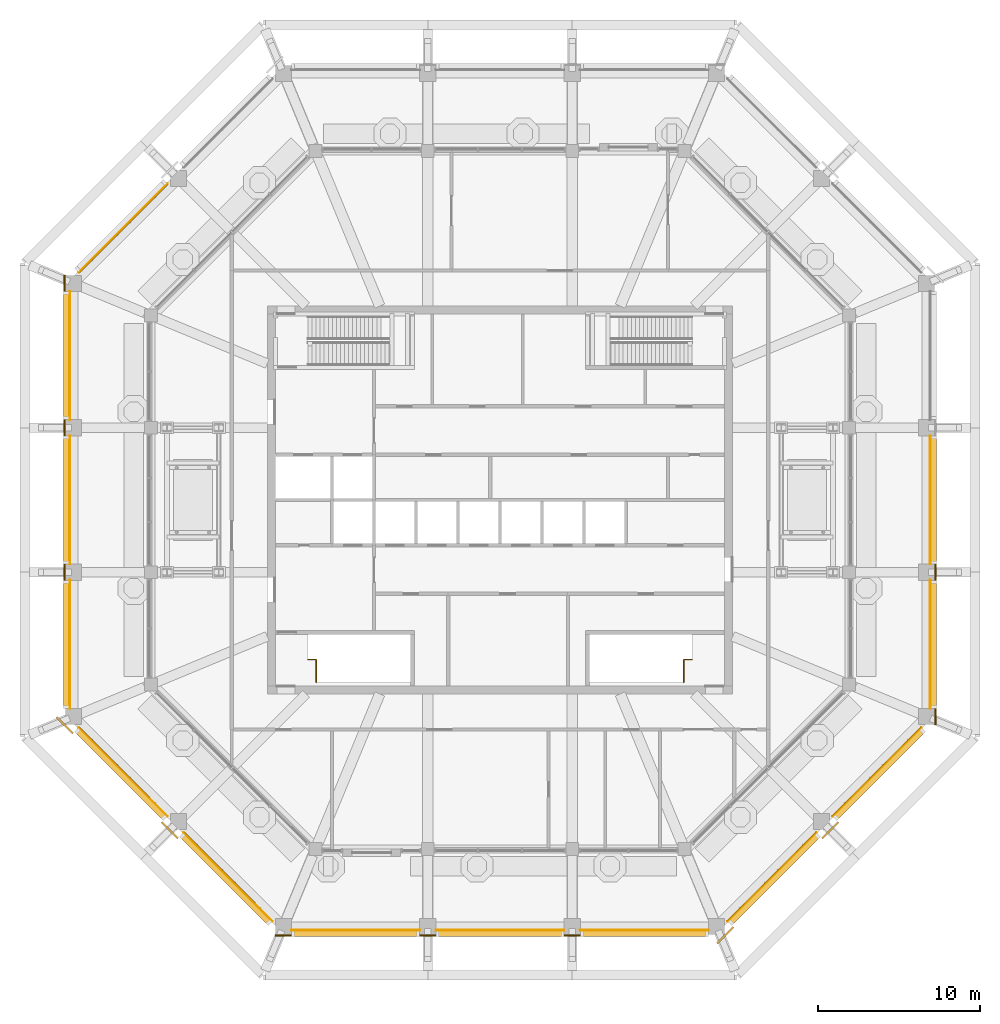
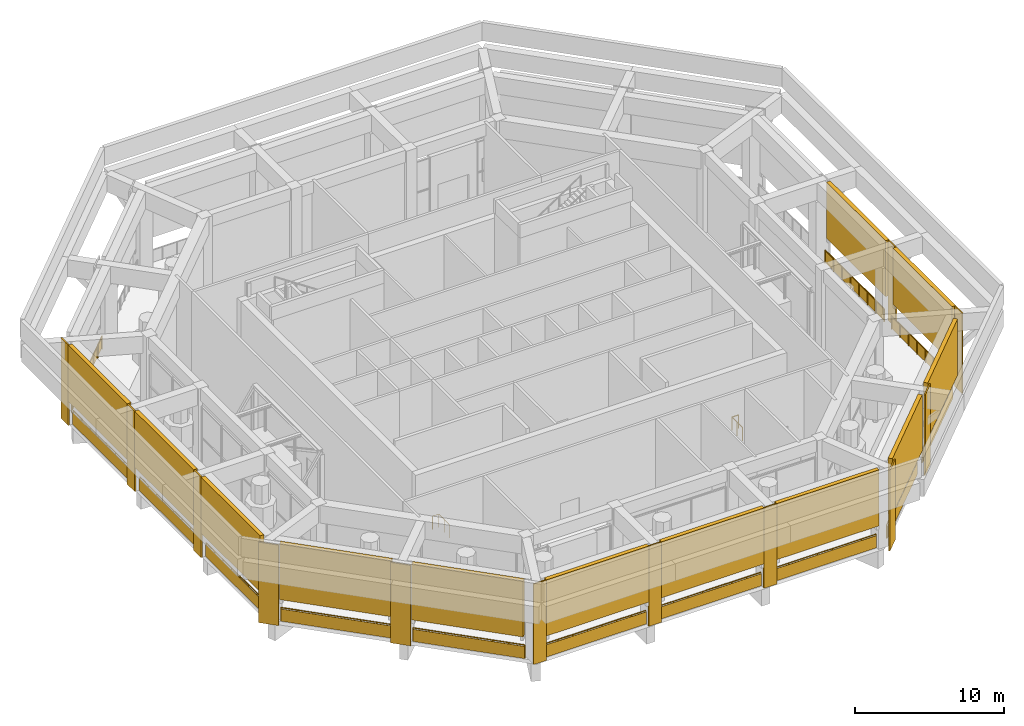
# One storey, part 27 of 29: 25 coverings, 15 railings, 12 shading devices.
"""IFC4 building model written with IfcOpenShell, lengths in metres."""

from ifc_helpers import new_model, si_unit, direction, frame, frame_2d, origin, origin_2d, place, context, subcontext, project, spatial, rectangle, circle, extrude, material, layer, layer_set, constituent, constituent_set, type_object, element, save


model = new_model("IFC4")

# Units and contexts
model_context = context("Model", 3, precision=1e-05, world=origin(), true_north=direction((0.0, 1.0)))
body_context = subcontext(model_context, "Body", "Model", "MODEL_VIEW")
ifc_project = project(units=[si_unit("LENGTHUNIT", "METRE"), si_unit("AREAUNIT", "SQUARE_METRE"), si_unit("VOLUMEUNIT", "CUBIC_METRE"), si_unit("PLANEANGLEUNIT", "RADIAN"), si_unit("MASSUNIT", "GRAM", prefix="KILO")], contexts=[model_context])

# Site, building, storey
site_placement = place(None, origin())
site = spatial("IfcSite", under=ifc_project, at=site_placement, CompositionType="ELEMENT")
building_placement = place(site_placement, origin())
building = spatial("IfcBuilding", under=site, at=building_placement, Name="Msitu Wima Residences", CompositionType="ELEMENT")
storey_placement = place(building_placement, frame((0.0, 0.0, 320.10009765625)))
storey = spatial("IfcBuildingStorey", under=building, at=storey_placement, Name="L74", CompositionType="ELEMENT", Elevation=320.10009765625)

# Shading devices
ifc_material_1 = material(Name="Brick (red buff mix), open-jointed screen bond", Category="masonry")
ifc_layer_1 = layer(ifc_material_1, 0.300048828125)
ifc_layer_set_1 = layer_set([ifc_layer_1], Name="Brick (red buff mix), open-jointed screen bond")
shading_device_type = type_object("IfcShadingDeviceType", Name="Brick louvre screen BS300", PredefinedType="JALOUSIE", material=ifc_layer_set_1)
shading_device_1_placement = place(storey_placement, frame((26.85009765625, -12.906005859375, 2.0), z_axis=(0.0, 0.0, 1.0), x_axis=(0.0, 1.0, 0.0)))
element("IfcShadingDevice", 1, at=shading_device_1_placement, inside=storey, type_object=shading_device_type, Name="Brick louvre screen E0", PredefinedType="JALOUSIE", context=body_context, shape_type="SweptSolid", body=[
    extrude(rectangle(XDim=7.937255859375, YDim=0.300048828125, at=frame_2d((3.96875, 0.0))), origin(), (0.0, 0.0, 1.0), 4.599853515625),
])
shading_device_2_placement = place(storey_placement, frame((26.85009765625, -3.96875, 2.0), z_axis=(0.0, 0.0, 1.0), x_axis=(0.0, 1.0, 0.0)))
element("IfcShadingDevice", 2, at=shading_device_2_placement, inside=storey, type_object=shading_device_type, Name="Brick louvre screen E1", PredefinedType="JALOUSIE", context=body_context, shape_type="SweptSolid", body=[
    extrude(rectangle(XDim=7.9375, YDim=0.300048828125, at=frame_2d((3.96875, 0.0))), origin(), (0.0, 0.0, 1.0), 4.599853515625),
])
shading_device_3_placement = place(storey_placement, frame((-26.85009765625, 12.906005859375, 2.0), z_axis=(0.0, 0.0, 1.0), x_axis=(0.0, -1.0, 0.0)))
element("IfcShadingDevice", 3, at=shading_device_3_placement, inside=storey, type_object=shading_device_type, Name="Brick louvre screen W0", PredefinedType="JALOUSIE", context=body_context, shape_type="SweptSolid", body=[
    extrude(rectangle(XDim=7.937255859375, YDim=0.300048828125, at=frame_2d((3.96875, 0.0))), origin(), (0.0, 0.0, 1.0), 4.599853515625),
])
shading_device_4_placement = place(storey_placement, frame((-26.85009765625, 3.96875, 2.0), z_axis=(0.0, 0.0, 1.0), x_axis=(0.0, -1.0, 0.0)))
element("IfcShadingDevice", 4, at=shading_device_4_placement, inside=storey, type_object=shading_device_type, Name="Brick louvre screen W1", PredefinedType="JALOUSIE", context=body_context, shape_type="SweptSolid", body=[
    extrude(rectangle(XDim=7.9375, YDim=0.300048828125, at=frame_2d((3.96875, 0.0))), origin(), (0.0, 0.0, 1.0), 4.599853515625),
])
shading_device_5_placement = place(storey_placement, frame((-26.85009765625, -4.96875, 2.0), z_axis=(0.0, 0.0, 1.0), x_axis=(0.0, -1.0, 0.0)))
element("IfcShadingDevice", 5, at=shading_device_5_placement, inside=storey, type_object=shading_device_type, Name="Brick louvre screen W2", PredefinedType="JALOUSIE", context=body_context, shape_type="SweptSolid", body=[
    extrude(rectangle(XDim=7.937255859375, YDim=0.300048828125, at=frame_2d((3.96875, 0.0))), origin(), (0.0, 0.0, 1.0), 4.599853515625),
])
for number, where, z_axis, x_axis, name in (
    (6, (-26.21826171875, -14.22412109375, 2.0), (0.0, 0.0, 1.0), (0.707106781187, -0.707106781187, 0.0), "Brick louvre screen SW0"),
    (7, (-19.72119140625, -20.72119140625, 2.0), (0.0, 0.0, 1.0), (0.707106781187, -0.707106781187, 0.0), "Brick louvre screen SW1"),
):
    element("IfcShadingDevice", number, at=place(storey_placement, frame(where, z_axis=z_axis, x_axis=x_axis)), inside=storey, type_object=shading_device_type, Name=name, PredefinedType="JALOUSIE", context=body_context, shape_type="SweptSolid", body=[
        extrude(rectangle(XDim=7.77392578125, YDim=0.300048828125, at=frame_2d((3.886962890625, 0.0))), origin(), (0.0, 0.0, 1.0), 4.599853515625),
    ])
shading_device_6_placement = place(storey_placement, frame((-12.906005859375, -26.85009765625, 2.0), z_axis=(0.0, 0.0, 1.0), x_axis=(1.0, 0.0, 0.0)))
element("IfcShadingDevice", 8, at=shading_device_6_placement, inside=storey, type_object=shading_device_type, Name="Brick louvre screen S0", PredefinedType="JALOUSIE", context=body_context, shape_type="SweptSolid", body=[
    extrude(rectangle(XDim=7.937255859375, YDim=0.300048828125, at=frame_2d((3.96875, 0.0))), origin(), (0.0, 0.0, 1.0), 4.599853515625),
])
shading_device_7_placement = place(storey_placement, frame((-3.96875, -26.85009765625, 2.0), z_axis=(0.0, 0.0, 1.0), x_axis=(1.0, 0.0, 0.0)))
element("IfcShadingDevice", 9, at=shading_device_7_placement, inside=storey, type_object=shading_device_type, Name="Brick louvre screen S1", PredefinedType="JALOUSIE", context=body_context, shape_type="SweptSolid", body=[
    extrude(rectangle(XDim=7.9375, YDim=0.300048828125, at=frame_2d((3.96875, 0.0))), origin(), (0.0, 0.0, 1.0), 4.599853515625),
])
shading_device_8_placement = place(storey_placement, frame((4.96875, -26.85009765625, 2.0), z_axis=(0.0, 0.0, 1.0), x_axis=(1.0, 0.0, 0.0)))
element("IfcShadingDevice", 10, at=shading_device_8_placement, inside=storey, type_object=shading_device_type, Name="Brick louvre screen S2", PredefinedType="JALOUSIE", context=body_context, shape_type="SweptSolid", body=[
    extrude(rectangle(XDim=7.937255859375, YDim=0.300048828125, at=frame_2d((3.96875, 0.0))), origin(), (0.0, 0.0, 1.0), 4.599853515625),
])
for number, where, z_axis, x_axis, name in (
    (11, (14.22412109375, -26.21826171875, 2.0), (0.0, 0.0, 1.0), (0.707106781187, 0.707106781187, 0.0), "Brick louvre screen SE0"),
    (12, (20.72119140625, -19.72119140625, 2.0), (0.0, 0.0, 1.0), (0.707106781187, 0.707106781187, 0.0), "Brick louvre screen SE1"),
):
    element("IfcShadingDevice", number, at=place(storey_placement, frame(where, z_axis=z_axis, x_axis=x_axis)), inside=storey, type_object=shading_device_type, Name=name, PredefinedType="JALOUSIE", context=body_context, shape_type="SweptSolid", body=[
        extrude(rectangle(XDim=7.77392578125, YDim=0.300048828125, at=frame_2d((3.886962890625, 0.0))), origin(), (0.0, 0.0, 1.0), 4.599853515625),
    ])

# Coverings
ifc_material_2 = material(Name="Laminated toughened clear glass", Category="glass")
ifc_layer_2 = layer(ifc_material_2, 0.02001953125)
ifc_layer_set_2 = layer_set([ifc_layer_2], Name="Laminated toughened clear glass")
covering_type_1 = type_object("IfcCoveringType", Name="Deck glass guard panel GP20", PredefinedType="CLADDING", material=ifc_layer_set_2)
for number, where, z_axis, x_axis, name in (
    (13, (26.64990234375, -8.937255859375, 0.0), (0.0, 0.0, 1.0), (0.0, 1.0, 0.0), "Deck glass guard panel E0"),
    (14, (26.64990234375, 0.0, 0.0), (0.0, 0.0, 1.0), (0.0, 1.0, 0.0), "Deck glass guard panel E1"),
):
    element("IfcCovering", number, at=place(storey_placement, frame(where, z_axis=z_axis, x_axis=x_axis)), inside=storey, type_object=covering_type_1, Name=name, PredefinedType="CLADDING", context=body_context, shape_type="SweptSolid", body=[
        extrude(rectangle(XDim=7.937255859375, YDim=0.02001953125, at=origin_2d()), origin(), (0.0, 0.0, 1.0), 1.0),
    ])
covering_placement = place(storey_placement, frame((-23.328369140625, 16.831298828125, 0.0), z_axis=(0.0, 0.0, 1.0), x_axis=(-0.707106781187, -0.707106781187, 0.0)))
element("IfcCovering", 15, at=covering_placement, inside=storey, type_object=covering_type_1, Name="Deck glass guard panel NW1", PredefinedType="CLADDING", context=body_context, shape_type="SweptSolid", body=[
    extrude(rectangle(XDim=7.77392578125, YDim=0.02001953125, at=origin_2d()), origin(), (0.0, 0.0, 1.0), 1.0),
])
for number, where, z_axis, x_axis, name in (
    (16, (-26.64990234375, 8.937255859375, 0.0), (0.0, 0.0, 1.0), (0.0, -1.0, 0.0), "Deck glass guard panel W0"),
    (17, (-26.64990234375, 0.0, 0.0), (0.0, 0.0, 1.0), (0.0, -1.0, 0.0), "Deck glass guard panel W1"),
    (18, (-26.64990234375, -8.937255859375, 0.0), (0.0, 0.0, 1.0), (0.0, -1.0, 0.0), "Deck glass guard panel W2"),
):
    element("IfcCovering", number, at=place(storey_placement, frame(where, z_axis=z_axis, x_axis=x_axis)), inside=storey, type_object=covering_type_1, Name=name, PredefinedType="CLADDING", context=body_context, shape_type="SweptSolid", body=[
        extrude(rectangle(XDim=7.937255859375, YDim=0.02001953125, at=origin_2d()), origin(), (0.0, 0.0, 1.0), 1.0),
    ])
for number, where, z_axis, x_axis, name in (
    (19, (-23.328369140625, -16.831298828125, 0.0), (0.0, 0.0, 1.0), (0.707106781187, -0.707106781187, 0.0), "Deck glass guard panel SW0"),
    (20, (-16.831298828125, -23.328369140625, 0.0), (0.0, 0.0, 1.0), (0.707106781187, -0.707106781187, 0.0), "Deck glass guard panel SW1"),
):
    element("IfcCovering", number, at=place(storey_placement, frame(where, z_axis=z_axis, x_axis=x_axis)), inside=storey, type_object=covering_type_1, Name=name, PredefinedType="CLADDING", context=body_context, shape_type="SweptSolid", body=[
        extrude(rectangle(XDim=7.77392578125, YDim=0.02001953125, at=origin_2d()), origin(), (0.0, 0.0, 1.0), 1.0),
    ])
for number, where, z_axis, x_axis, name in (
    (21, (-8.937255859375, -26.64990234375, 0.0), (0.0, 0.0, 1.0), (1.0, 0.0, 0.0), "Deck glass guard panel S0"),
    (22, (0.0, -26.64990234375, 0.0), (0.0, 0.0, 1.0), (1.0, 0.0, 0.0), "Deck glass guard panel S1"),
    (23, (8.937255859375, -26.64990234375, 0.0), (0.0, 0.0, 1.0), (1.0, 0.0, 0.0), "Deck glass guard panel S2"),
):
    element("IfcCovering", number, at=place(storey_placement, frame(where, z_axis=z_axis, x_axis=x_axis)), inside=storey, type_object=covering_type_1, Name=name, PredefinedType="CLADDING", context=body_context, shape_type="SweptSolid", body=[
        extrude(rectangle(XDim=7.937255859375, YDim=0.02001953125, at=origin_2d()), origin(), (0.0, 0.0, 1.0), 1.0),
    ])
for number, where, z_axis, x_axis, name in (
    (24, (16.831298828125, -23.328369140625, 0.0), (0.0, 0.0, 1.0), (0.707106781187, 0.707106781187, 0.0), "Deck glass guard panel SE0"),
    (25, (23.328369140625, -16.831298828125, 0.0), (0.0, 0.0, 1.0), (0.707106781187, 0.707106781187, 0.0), "Deck glass guard panel SE1"),
):
    element("IfcCovering", number, at=place(storey_placement, frame(where, z_axis=z_axis, x_axis=x_axis)), inside=storey, type_object=covering_type_1, Name=name, PredefinedType="CLADDING", context=body_context, shape_type="SweptSolid", body=[
        extrude(rectangle(XDim=7.77392578125, YDim=0.02001953125, at=origin_2d()), origin(), (0.0, 0.0, 1.0), 1.0),
    ])
ifc_material_3 = material(Name="Brick (red buff mix) slips on insulated backing", Category="masonry")
ifc_layer_3 = layer(ifc_material_3, 0.10009765625)
ifc_layer_set_3 = layer_set([ifc_layer_3], Name="Brick (red buff mix) slips on insulated backing")
covering_type_2 = type_object("IfcCoveringType", Name="Pier brick cladding PC100", PredefinedType="CLADDING", material=ifc_layer_set_3)
for number, where, z_axis, x_axis, name in (
    (26, (26.949951171875, -13.406005859375, -0.000244140625), (0.0, 0.0, 1.0), (0.0, 1.0, 0.0), "Pier brick cladding E0"),
    (27, (26.949951171875, -4.46875, -0.000244140625), (0.0, 0.0, 1.0), (0.0, 1.0, 0.0), "Pier brick cladding E1"),
    (28, (-26.949951171875, 13.406005859375, -0.000244140625), (0.0, 0.0, 1.0), (0.0, -1.0, 0.0), "Pier brick cladding W0"),
    (29, (-26.949951171875, 4.46875, -0.000244140625), (0.0, 0.0, 1.0), (0.0, -1.0, 0.0), "Pier brick cladding W1"),
    (30, (-26.949951171875, -4.46875, -0.000244140625), (0.0, 0.0, 1.0), (0.0, -1.0, 0.0), "Pier brick cladding W2"),
):
    element("IfcCovering", number, at=place(storey_placement, frame(where, z_axis=z_axis, x_axis=x_axis)), inside=storey, type_object=covering_type_2, Name=name, PredefinedType="CLADDING", context=body_context, shape_type="SweptSolid", body=[
        extrude(rectangle(XDim=1.0, YDim=0.10009765625, at=origin_2d()), origin(), (0.0, 0.0, 1.0), 6.60009765625),
    ])
for number, where, z_axis, x_axis, name in (
    (31, (-26.935302734375, -13.941162109375, -0.000244140625), (0.0, 0.0, 1.0), (0.707106781187, -0.707106781187, 0.0), "Pier brick cladding SW0"),
    (32, (-20.438232421875, -20.438232421875, -0.000244140625), (0.0, 0.0, 1.0), (0.707106781187, -0.707106781187, 0.0), "Pier brick cladding SW1"),
):
    element("IfcCovering", number, at=place(storey_placement, frame(where, z_axis=z_axis, x_axis=x_axis)), inside=storey, type_object=covering_type_2, Name=name, PredefinedType="CLADDING", context=body_context, shape_type="SweptSolid", body=[
        extrude(rectangle(XDim=1.414306640625, YDim=0.10009765625, at=origin_2d()), origin(), (0.0, 0.0, 1.0), 6.60009765625),
    ])
for number, where, z_axis, x_axis, name in (
    (33, (-13.406005859375, -26.949951171875, -0.000244140625), (0.0, 0.0, 1.0), (1.0, 0.0, 0.0), "Pier brick cladding S0"),
    (34, (-4.46875, -26.949951171875, -0.000244140625), (0.0, 0.0, 1.0), (1.0, 0.0, 0.0), "Pier brick cladding S1"),
    (35, (4.46875, -26.949951171875, -0.000244140625), (0.0, 0.0, 1.0), (1.0, 0.0, 0.0), "Pier brick cladding S2"),
):
    element("IfcCovering", number, at=place(storey_placement, frame(where, z_axis=z_axis, x_axis=x_axis)), inside=storey, type_object=covering_type_2, Name=name, PredefinedType="CLADDING", context=body_context, shape_type="SweptSolid", body=[
        extrude(rectangle(XDim=1.0, YDim=0.10009765625, at=origin_2d()), origin(), (0.0, 0.0, 1.0), 6.60009765625),
    ])
for number, where, z_axis, x_axis, name in (
    (36, (13.941162109375, -26.935302734375, -0.000244140625), (0.0, 0.0, 1.0), (0.707106781187, 0.707106781187, 0.0), "Pier brick cladding SE0"),
    (37, (20.438232421875, -20.438232421875, -0.000244140625), (0.0, 0.0, 1.0), (0.707106781187, 0.707106781187, 0.0), "Pier brick cladding SE1"),
):
    element("IfcCovering", number, at=place(storey_placement, frame(where, z_axis=z_axis, x_axis=x_axis)), inside=storey, type_object=covering_type_2, Name=name, PredefinedType="CLADDING", context=body_context, shape_type="SweptSolid", body=[
        extrude(rectangle(XDim=1.414306640625, YDim=0.10009765625, at=origin_2d()), origin(), (0.0, 0.0, 1.0), 6.60009765625),
    ])

# Railings
ifc_material_4 = material(Name="Steel S355", Category="steel")
ifc_constituent_1 = constituent(ifc_material_4, Name="Steel S355")
ifc_material_5 = material(Name="Black powder coating")
ifc_constituent_2 = constituent(ifc_material_5, Name="Black powder coating")
ifc_constituent_set_1 = constituent_set(constituents=[ifc_constituent_1, ifc_constituent_2], Name="Steel S355")
railing_type_1 = type_object("IfcRailingType", Name="Stair well guard G1", PredefinedType="GUARDRAIL", material=ifc_constituent_set_1)
railing_1_placement = place(storey_placement, frame((-11.375, -11.27490234375, 0.0)))
element("IfcRailing", 38, at=railing_1_placement, inside=storey, type_object=railing_type_1, Name="Stair 2 well guard", PredefinedType="GUARDRAIL", context=body_context, shape_type="SweptSolid", body=[
    extrude(circle(Radius=0.02392578125, at=origin_2d()), frame((0.0, 0.0, 1.076171875), z_axis=(0.0, 1.0, 0.0), x_axis=(-1.0, 0.0, 0.0)), (0.0, 0.0, 1.0), 1.39990234375),
    extrude(circle(Radius=0.02392578125, at=origin_2d()), frame((0.0, 1.39990234375, 1.076171875), z_axis=(-1.0, 0.0, 0.0), x_axis=(0.0, -1.0, 0.0)), (0.0, 0.0, 1.0), 0.5),
    extrude(circle(Radius=0.02099609375, at=origin_2d()), origin(), (0.0, 0.0, 1.0), 1.052001953125),
    extrude(circle(Radius=0.02099609375, at=origin_2d()), frame((0.0, 0.699951171875, 0.0)), (0.0, 0.0, 1.0), 1.052001953125),
    extrude(circle(Radius=0.02099609375, at=origin_2d()), frame((0.0, 1.39990234375, 0.0)), (0.0, 0.0, 1.0), 1.052001953125),
    extrude(circle(Radius=0.02099609375, at=origin_2d()), frame((-0.5, 1.39990234375, 0.0)), (0.0, 0.0, 1.0), 1.052001953125),
])
railing_2_placement = place(storey_placement, frame((11.375, -11.27490234375, 0.0)))
element("IfcRailing", 39, at=railing_2_placement, inside=storey, type_object=railing_type_1, Name="Stair 4 well guard", PredefinedType="GUARDRAIL", context=body_context, shape_type="SweptSolid", body=[
    extrude(circle(Radius=0.02392578125, at=origin_2d()), frame((0.0, 0.0, 1.076171875), z_axis=(0.0, 1.0, 0.0), x_axis=(-1.0, 0.0, 0.0)), (0.0, 0.0, 1.0), 1.39990234375),
    extrude(circle(Radius=0.02392578125, at=origin_2d()), frame((0.0, 1.39990234375, 1.076171875), z_axis=(1.0, 0.0, 0.0), x_axis=(0.0, 1.0, 0.0)), (0.0, 0.0, 1.0), 0.5),
    extrude(circle(Radius=0.02099609375, at=origin_2d()), origin(), (0.0, 0.0, 1.0), 1.052001953125),
    extrude(circle(Radius=0.02099609375, at=origin_2d()), frame((0.0, 0.699951171875, 0.0)), (0.0, 0.0, 1.0), 1.052001953125),
    extrude(circle(Radius=0.02099609375, at=origin_2d()), frame((0.0, 1.39990234375, 0.0)), (0.0, 0.0, 1.0), 1.052001953125),
    extrude(circle(Radius=0.02099609375, at=origin_2d()), frame((0.5, 1.39990234375, 0.0)), (0.0, 0.0, 1.0), 1.052001953125),
])
ifc_constituent_3 = constituent(ifc_material_4, Name="Steel S355")
ifc_material_6 = material(Name="Weathering patina")
ifc_constituent_4 = constituent(ifc_material_6, Name="Weathering patina")
ifc_constituent_set_2 = constituent_set(constituents=[ifc_constituent_3, ifc_constituent_4], Name="Steel S355")
railing_type_2 = type_object("IfcRailingType", Name="Terrace guard GR1100", PredefinedType="GUARDRAIL", material=ifc_constituent_set_2)
railing_3_placement = place(storey_placement, frame((26.60009765625, -12.906005859375, 0.0)))
element("IfcRailing", 40, at=railing_3_placement, inside=storey, type_object=railing_type_2, Name="Deck guard E0", PredefinedType="GUARDRAIL", context=body_context, shape_type="SweptSolid", body=[
    extrude(circle(Radius=0.02392578125, at=origin_2d()), frame((0.0, 0.0, 1.076171875), z_axis=(0.0, 1.0, 0.0), x_axis=(-1.0, 0.0, 0.0)), (0.0, 0.0, 1.0), 7.937255859375),
    extrude(circle(Radius=0.02099609375, at=origin_2d()), origin(), (0.0, 0.0, 1.0), 1.052001953125),
    extrude(circle(Radius=0.02099609375, at=origin_2d()), frame((0.0, 1.1337890625, 0.0)), (0.0, 0.0, 1.0), 1.052001953125),
    extrude(circle(Radius=0.02099609375, at=origin_2d()), frame((0.0, 2.267822265625, 0.0)), (0.0, 0.0, 1.0), 1.052001953125),
    extrude(circle(Radius=0.02099609375, at=origin_2d()), frame((0.0, 3.401611328125, 0.0)), (0.0, 0.0, 1.0), 1.052001953125),
    extrude(circle(Radius=0.02099609375, at=origin_2d()), frame((0.0, 4.53564453125, 0.0)), (0.0, 0.0, 1.0), 1.052001953125),
    extrude(circle(Radius=0.02099609375, at=origin_2d()), frame((0.0, 5.66943359375, 0.0)), (0.0, 0.0, 1.0), 1.052001953125),
    extrude(circle(Radius=0.02099609375, at=origin_2d()), frame((0.0, 6.803466796875, 0.0)), (0.0, 0.0, 1.0), 1.052001953125),
    extrude(circle(Radius=0.02099609375, at=origin_2d()), frame((0.0, 7.937255859375, 0.0)), (0.0, 0.0, 1.0), 1.052001953125),
])
railing_4_placement = place(storey_placement, frame((26.60009765625, -3.96875, 0.0)))
element("IfcRailing", 41, at=railing_4_placement, inside=storey, type_object=railing_type_2, Name="Deck guard E1", PredefinedType="GUARDRAIL", context=body_context, shape_type="SweptSolid", body=[
    extrude(circle(Radius=0.02392578125, at=origin_2d()), frame((0.0, 0.0, 1.076171875), z_axis=(0.0, 1.0, 0.0), x_axis=(-1.0, 0.0, 0.0)), (0.0, 0.0, 1.0), 7.9375),
    extrude(circle(Radius=0.02099609375, at=origin_2d()), origin(), (0.0, 0.0, 1.0), 1.052001953125),
    extrude(circle(Radius=0.02099609375, at=origin_2d()), frame((0.0, 1.134033203125, 0.0)), (0.0, 0.0, 1.0), 1.052001953125),
    extrude(circle(Radius=0.02099609375, at=origin_2d()), frame((0.0, 2.267822265625, 0.0)), (0.0, 0.0, 1.0), 1.052001953125),
    extrude(circle(Radius=0.02099609375, at=origin_2d()), frame((0.0, 3.40185546875, 0.0)), (0.0, 0.0, 1.0), 1.052001953125),
    extrude(circle(Radius=0.02099609375, at=origin_2d()), frame((0.0, 4.53564453125, 0.0)), (0.0, 0.0, 1.0), 1.052001953125),
    extrude(circle(Radius=0.02099609375, at=origin_2d()), frame((0.0, 5.669677734375, 0.0)), (0.0, 0.0, 1.0), 1.052001953125),
    extrude(circle(Radius=0.02099609375, at=origin_2d()), frame((0.0, 6.803466796875, 0.0)), (0.0, 0.0, 1.0), 1.052001953125),
    extrude(circle(Radius=0.02099609375, at=origin_2d()), frame((0.0, 7.9375, 0.0)), (0.0, 0.0, 1.0), 1.052001953125),
])
railing_5_placement = place(storey_placement, frame((-20.54443359375, 19.54443359375, 0.0)))
element("IfcRailing", 42, at=railing_5_placement, inside=storey, type_object=railing_type_2, Name="Deck guard NW1", PredefinedType="GUARDRAIL", context=body_context, shape_type="SweptSolid", body=[
    extrude(circle(Radius=0.02392578125, at=origin_2d()), frame((0.0, 0.0, 1.076171875), z_axis=(-0.707106781187, -0.707106781187, 0.0), x_axis=(0.707106781187, -0.707106781187, 0.0)), (0.0, 0.0, 1.0), 7.77392578125),
    extrude(circle(Radius=0.02099609375, at=origin_2d()), origin(), (0.0, 0.0, 1.0), 1.052001953125),
    extrude(circle(Radius=0.02099609375, at=origin_2d()), frame((-0.785400390625, -0.785400390625, 0.0)), (0.0, 0.0, 1.0), 1.052001953125),
    extrude(circle(Radius=0.02099609375, at=origin_2d()), frame((-1.570556640625, -1.570556640625, 0.0)), (0.0, 0.0, 1.0), 1.052001953125),
    extrude(circle(Radius=0.02099609375, at=origin_2d()), frame((-2.35595703125, -2.35595703125, 0.0)), (0.0, 0.0, 1.0), 1.052001953125),
    extrude(circle(Radius=0.02099609375, at=origin_2d()), frame((-3.14111328125, -3.14111328125, 0.0)), (0.0, 0.0, 1.0), 1.052001953125),
    extrude(circle(Radius=0.02099609375, at=origin_2d()), frame((-3.926513671875, -3.926513671875, 0.0)), (0.0, 0.0, 1.0), 1.052001953125),
    extrude(circle(Radius=0.02099609375, at=origin_2d()), frame((-4.711669921875, -4.711669921875, 0.0)), (0.0, 0.0, 1.0), 1.052001953125),
    extrude(circle(Radius=0.02099609375, at=origin_2d()), frame((-5.4970703125, -5.4970703125, 0.0)), (0.0, 0.0, 1.0), 1.052001953125),
])
railing_6_placement = place(storey_placement, frame((-26.60009765625, 12.906005859375, 0.0)))
element("IfcRailing", 43, at=railing_6_placement, inside=storey, type_object=railing_type_2, Name="Deck guard W0", PredefinedType="GUARDRAIL", context=body_context, shape_type="SweptSolid", body=[
    extrude(circle(Radius=0.02392578125, at=origin_2d()), frame((0.0, 0.0, 1.076171875), z_axis=(0.0, -1.0, 0.0), x_axis=(1.0, 0.0, 0.0)), (0.0, 0.0, 1.0), 7.937255859375),
    extrude(circle(Radius=0.02099609375, at=origin_2d()), origin(), (0.0, 0.0, 1.0), 1.052001953125),
    extrude(circle(Radius=0.02099609375, at=origin_2d()), frame((0.0, -1.1337890625, 0.0)), (0.0, 0.0, 1.0), 1.052001953125),
    extrude(circle(Radius=0.02099609375, at=origin_2d()), frame((0.0, -2.267822265625, 0.0)), (0.0, 0.0, 1.0), 1.052001953125),
    extrude(circle(Radius=0.02099609375, at=origin_2d()), frame((0.0, -3.401611328125, 0.0)), (0.0, 0.0, 1.0), 1.052001953125),
    extrude(circle(Radius=0.02099609375, at=origin_2d()), frame((0.0, -4.53564453125, 0.0)), (0.0, 0.0, 1.0), 1.052001953125),
    extrude(circle(Radius=0.02099609375, at=origin_2d()), frame((0.0, -5.66943359375, 0.0)), (0.0, 0.0, 1.0), 1.052001953125),
    extrude(circle(Radius=0.02099609375, at=origin_2d()), frame((0.0, -6.803466796875, 0.0)), (0.0, 0.0, 1.0), 1.052001953125),
    extrude(circle(Radius=0.02099609375, at=origin_2d()), frame((0.0, -7.937255859375, 0.0)), (0.0, 0.0, 1.0), 1.052001953125),
])
railing_7_placement = place(storey_placement, frame((-26.60009765625, 3.96875, 0.0)))
element("IfcRailing", 44, at=railing_7_placement, inside=storey, type_object=railing_type_2, Name="Deck guard W1", PredefinedType="GUARDRAIL", context=body_context, shape_type="SweptSolid", body=[
    extrude(circle(Radius=0.02392578125, at=origin_2d()), frame((0.0, 0.0, 1.076171875), z_axis=(0.0, -1.0, 0.0), x_axis=(1.0, 0.0, 0.0)), (0.0, 0.0, 1.0), 7.9375),
    extrude(circle(Radius=0.02099609375, at=origin_2d()), origin(), (0.0, 0.0, 1.0), 1.052001953125),
    extrude(circle(Radius=0.02099609375, at=origin_2d()), frame((0.0, -1.134033203125, 0.0)), (0.0, 0.0, 1.0), 1.052001953125),
    extrude(circle(Radius=0.02099609375, at=origin_2d()), frame((0.0, -2.267822265625, 0.0)), (0.0, 0.0, 1.0), 1.052001953125),
    extrude(circle(Radius=0.02099609375, at=origin_2d()), frame((0.0, -3.40185546875, 0.0)), (0.0, 0.0, 1.0), 1.052001953125),
    extrude(circle(Radius=0.02099609375, at=origin_2d()), frame((0.0, -4.53564453125, 0.0)), (0.0, 0.0, 1.0), 1.052001953125),
    extrude(circle(Radius=0.02099609375, at=origin_2d()), frame((0.0, -5.669677734375, 0.0)), (0.0, 0.0, 1.0), 1.052001953125),
    extrude(circle(Radius=0.02099609375, at=origin_2d()), frame((0.0, -6.803466796875, 0.0)), (0.0, 0.0, 1.0), 1.052001953125),
    extrude(circle(Radius=0.02099609375, at=origin_2d()), frame((0.0, -7.9375, 0.0)), (0.0, 0.0, 1.0), 1.052001953125),
])
railing_8_placement = place(storey_placement, frame((-26.60009765625, -4.96875, 0.0)))
element("IfcRailing", 45, at=railing_8_placement, inside=storey, type_object=railing_type_2, Name="Deck guard W2", PredefinedType="GUARDRAIL", context=body_context, shape_type="SweptSolid", body=[
    extrude(circle(Radius=0.02392578125, at=origin_2d()), frame((0.0, 0.0, 1.076171875), z_axis=(0.0, -1.0, 0.0), x_axis=(1.0, 0.0, 0.0)), (0.0, 0.0, 1.0), 7.937255859375),
    extrude(circle(Radius=0.02099609375, at=origin_2d()), origin(), (0.0, 0.0, 1.0), 1.052001953125),
    extrude(circle(Radius=0.02099609375, at=origin_2d()), frame((0.0, -1.1337890625, 0.0)), (0.0, 0.0, 1.0), 1.052001953125),
    extrude(circle(Radius=0.02099609375, at=origin_2d()), frame((0.0, -2.267822265625, 0.0)), (0.0, 0.0, 1.0), 1.052001953125),
    extrude(circle(Radius=0.02099609375, at=origin_2d()), frame((0.0, -3.401611328125, 0.0)), (0.0, 0.0, 1.0), 1.052001953125),
    extrude(circle(Radius=0.02099609375, at=origin_2d()), frame((0.0, -4.53564453125, 0.0)), (0.0, 0.0, 1.0), 1.052001953125),
    extrude(circle(Radius=0.02099609375, at=origin_2d()), frame((0.0, -5.66943359375, 0.0)), (0.0, 0.0, 1.0), 1.052001953125),
    extrude(circle(Radius=0.02099609375, at=origin_2d()), frame((0.0, -6.803466796875, 0.0)), (0.0, 0.0, 1.0), 1.052001953125),
    extrude(circle(Radius=0.02099609375, at=origin_2d()), frame((0.0, -7.937255859375, 0.0)), (0.0, 0.0, 1.0), 1.052001953125),
])
for number, where, name in (
    (46, (-26.04150390625, -14.04736328125, 0.0), "Deck guard SW0"),
    (47, (-19.54443359375, -20.54443359375, 0.0), "Deck guard SW1"),
):
    element("IfcRailing", number, at=place(storey_placement, frame(where)), inside=storey, type_object=railing_type_2, Name=name, PredefinedType="GUARDRAIL", context=body_context, shape_type="SweptSolid", body=[
        extrude(circle(Radius=0.02392578125, at=origin_2d()), frame((0.0, 0.0, 1.076171875), z_axis=(0.707106781187, -0.707106781187, 0.0), x_axis=(0.707106781187, 0.707106781187, 0.0)), (0.0, 0.0, 1.0), 7.77392578125),
        extrude(circle(Radius=0.02099609375, at=origin_2d()), origin(), (0.0, 0.0, 1.0), 1.052001953125),
        extrude(circle(Radius=0.02099609375, at=origin_2d()), frame((0.785400390625, -0.785400390625, 0.0)), (0.0, 0.0, 1.0), 1.052001953125),
        extrude(circle(Radius=0.02099609375, at=origin_2d()), frame((1.570556640625, -1.570556640625, 0.0)), (0.0, 0.0, 1.0), 1.052001953125),
        extrude(circle(Radius=0.02099609375, at=origin_2d()), frame((2.35595703125, -2.35595703125, 0.0)), (0.0, 0.0, 1.0), 1.052001953125),
        extrude(circle(Radius=0.02099609375, at=origin_2d()), frame((3.14111328125, -3.14111328125, 0.0)), (0.0, 0.0, 1.0), 1.052001953125),
        extrude(circle(Radius=0.02099609375, at=origin_2d()), frame((3.926513671875, -3.926513671875, 0.0)), (0.0, 0.0, 1.0), 1.052001953125),
        extrude(circle(Radius=0.02099609375, at=origin_2d()), frame((4.711669921875, -4.711669921875, 0.0)), (0.0, 0.0, 1.0), 1.052001953125),
        extrude(circle(Radius=0.02099609375, at=origin_2d()), frame((5.4970703125, -5.4970703125, 0.0)), (0.0, 0.0, 1.0), 1.052001953125),
    ])
railing_9_placement = place(storey_placement, frame((-12.906005859375, -26.60009765625, 0.0)))
element("IfcRailing", 48, at=railing_9_placement, inside=storey, type_object=railing_type_2, Name="Deck guard S0", PredefinedType="GUARDRAIL", context=body_context, shape_type="SweptSolid", body=[
    extrude(circle(Radius=0.02392578125, at=origin_2d()), frame((0.0, 0.0, 1.076171875), z_axis=(1.0, 0.0, 0.0), x_axis=(0.0, 1.0, 0.0)), (0.0, 0.0, 1.0), 7.937255859375),
    extrude(circle(Radius=0.02099609375, at=origin_2d()), origin(), (0.0, 0.0, 1.0), 1.052001953125),
    extrude(circle(Radius=0.02099609375, at=origin_2d()), frame((1.1337890625, 0.0, 0.0)), (0.0, 0.0, 1.0), 1.052001953125),
    extrude(circle(Radius=0.02099609375, at=origin_2d()), frame((2.267822265625, 0.0, 0.0)), (0.0, 0.0, 1.0), 1.052001953125),
    extrude(circle(Radius=0.02099609375, at=origin_2d()), frame((3.401611328125, 0.0, 0.0)), (0.0, 0.0, 1.0), 1.052001953125),
    extrude(circle(Radius=0.02099609375, at=origin_2d()), frame((4.53564453125, 0.0, 0.0)), (0.0, 0.0, 1.0), 1.052001953125),
    extrude(circle(Radius=0.02099609375, at=origin_2d()), frame((5.66943359375, 0.0, 0.0)), (0.0, 0.0, 1.0), 1.052001953125),
    extrude(circle(Radius=0.02099609375, at=origin_2d()), frame((6.803466796875, 0.0, 0.0)), (0.0, 0.0, 1.0), 1.052001953125),
    extrude(circle(Radius=0.02099609375, at=origin_2d()), frame((7.937255859375, 0.0, 0.0)), (0.0, 0.0, 1.0), 1.052001953125),
])
railing_10_placement = place(storey_placement, frame((-3.96875, -26.60009765625, 0.0)))
element("IfcRailing", 49, at=railing_10_placement, inside=storey, type_object=railing_type_2, Name="Deck guard S1", PredefinedType="GUARDRAIL", context=body_context, shape_type="SweptSolid", body=[
    extrude(circle(Radius=0.02392578125, at=origin_2d()), frame((0.0, 0.0, 1.076171875), z_axis=(1.0, 0.0, 0.0), x_axis=(0.0, 1.0, 0.0)), (0.0, 0.0, 1.0), 7.9375),
    extrude(circle(Radius=0.02099609375, at=origin_2d()), origin(), (0.0, 0.0, 1.0), 1.052001953125),
    extrude(circle(Radius=0.02099609375, at=origin_2d()), frame((1.134033203125, 0.0, 0.0)), (0.0, 0.0, 1.0), 1.052001953125),
    extrude(circle(Radius=0.02099609375, at=origin_2d()), frame((2.267822265625, 0.0, 0.0)), (0.0, 0.0, 1.0), 1.052001953125),
    extrude(circle(Radius=0.02099609375, at=origin_2d()), frame((3.40185546875, 0.0, 0.0)), (0.0, 0.0, 1.0), 1.052001953125),
    extrude(circle(Radius=0.02099609375, at=origin_2d()), frame((4.53564453125, 0.0, 0.0)), (0.0, 0.0, 1.0), 1.052001953125),
    extrude(circle(Radius=0.02099609375, at=origin_2d()), frame((5.669677734375, 0.0, 0.0)), (0.0, 0.0, 1.0), 1.052001953125),
    extrude(circle(Radius=0.02099609375, at=origin_2d()), frame((6.803466796875, 0.0, 0.0)), (0.0, 0.0, 1.0), 1.052001953125),
    extrude(circle(Radius=0.02099609375, at=origin_2d()), frame((7.9375, 0.0, 0.0)), (0.0, 0.0, 1.0), 1.052001953125),
])
railing_11_placement = place(storey_placement, frame((4.96875, -26.60009765625, 0.0)))
element("IfcRailing", 50, at=railing_11_placement, inside=storey, type_object=railing_type_2, Name="Deck guard S2", PredefinedType="GUARDRAIL", context=body_context, shape_type="SweptSolid", body=[
    extrude(circle(Radius=0.02392578125, at=origin_2d()), frame((0.0, 0.0, 1.076171875), z_axis=(1.0, 0.0, 0.0), x_axis=(0.0, 1.0, 0.0)), (0.0, 0.0, 1.0), 7.937255859375),
    extrude(circle(Radius=0.02099609375, at=origin_2d()), origin(), (0.0, 0.0, 1.0), 1.052001953125),
    extrude(circle(Radius=0.02099609375, at=origin_2d()), frame((1.1337890625, 0.0, 0.0)), (0.0, 0.0, 1.0), 1.052001953125),
    extrude(circle(Radius=0.02099609375, at=origin_2d()), frame((2.267822265625, 0.0, 0.0)), (0.0, 0.0, 1.0), 1.052001953125),
    extrude(circle(Radius=0.02099609375, at=origin_2d()), frame((3.401611328125, 0.0, 0.0)), (0.0, 0.0, 1.0), 1.052001953125),
    extrude(circle(Radius=0.02099609375, at=origin_2d()), frame((4.53564453125, 0.0, 0.0)), (0.0, 0.0, 1.0), 1.052001953125),
    extrude(circle(Radius=0.02099609375, at=origin_2d()), frame((5.66943359375, 0.0, 0.0)), (0.0, 0.0, 1.0), 1.052001953125),
    extrude(circle(Radius=0.02099609375, at=origin_2d()), frame((6.803466796875, 0.0, 0.0)), (0.0, 0.0, 1.0), 1.052001953125),
    extrude(circle(Radius=0.02099609375, at=origin_2d()), frame((7.937255859375, 0.0, 0.0)), (0.0, 0.0, 1.0), 1.052001953125),
])
for number, where, name in (
    (51, (14.04736328125, -26.04150390625, 0.0), "Deck guard SE0"),
    (52, (20.54443359375, -19.54443359375, 0.0), "Deck guard SE1"),
):
    element("IfcRailing", number, at=place(storey_placement, frame(where)), inside=storey, type_object=railing_type_2, Name=name, PredefinedType="GUARDRAIL", context=body_context, shape_type="SweptSolid", body=[
        extrude(circle(Radius=0.02392578125, at=origin_2d()), frame((0.0, 0.0, 1.076171875), z_axis=(0.707106781187, 0.707106781187, 0.0), x_axis=(-0.707106781187, 0.707106781187, 0.0)), (0.0, 0.0, 1.0), 7.77392578125),
        extrude(circle(Radius=0.02099609375, at=origin_2d()), origin(), (0.0, 0.0, 1.0), 1.052001953125),
        extrude(circle(Radius=0.02099609375, at=origin_2d()), frame((0.785400390625, 0.785400390625, 0.0)), (0.0, 0.0, 1.0), 1.052001953125),
        extrude(circle(Radius=0.02099609375, at=origin_2d()), frame((1.570556640625, 1.570556640625, 0.0)), (0.0, 0.0, 1.0), 1.052001953125),
        extrude(circle(Radius=0.02099609375, at=origin_2d()), frame((2.35595703125, 2.35595703125, 0.0)), (0.0, 0.0, 1.0), 1.052001953125),
        extrude(circle(Radius=0.02099609375, at=origin_2d()), frame((3.14111328125, 3.14111328125, 0.0)), (0.0, 0.0, 1.0), 1.052001953125),
        extrude(circle(Radius=0.02099609375, at=origin_2d()), frame((3.926513671875, 3.926513671875, 0.0)), (0.0, 0.0, 1.0), 1.052001953125),
        extrude(circle(Radius=0.02099609375, at=origin_2d()), frame((4.711669921875, 4.711669921875, 0.0)), (0.0, 0.0, 1.0), 1.052001953125),
        extrude(circle(Radius=0.02099609375, at=origin_2d()), frame((5.4970703125, 5.4970703125, 0.0)), (0.0, 0.0, 1.0), 1.052001953125),
    ])

save(model, "model.ifc")
